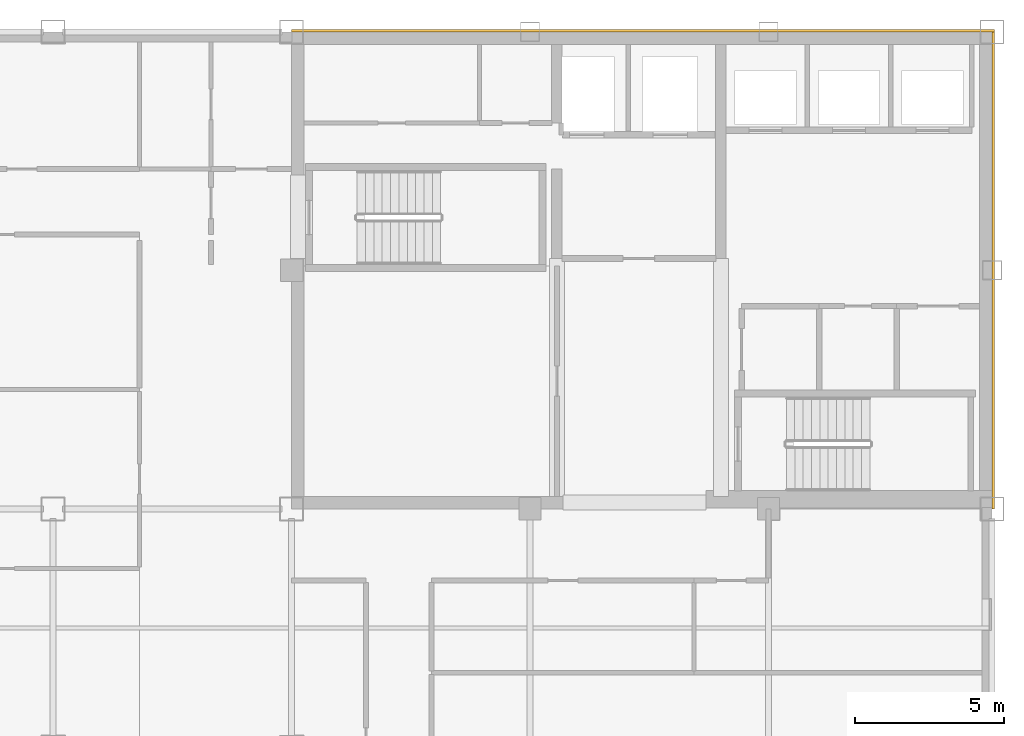
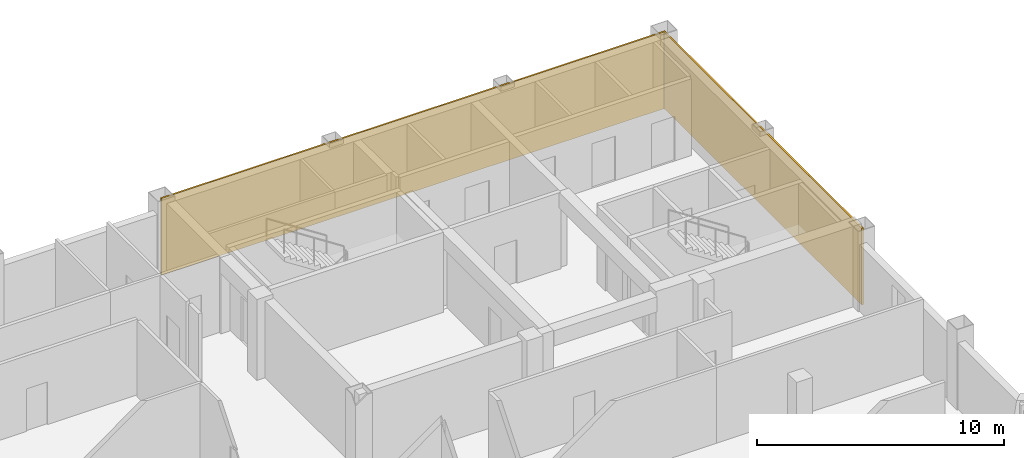
# One storey, part 7 of 7: 2 coverings.
"""IFC4 building model written with IfcOpenShell, lengths in metres."""

from ifc_helpers import new_model, si_unit, direction, frame, origin, origin_2d, place, context, subcontext, project, spatial, rectangle, extrude, material, layer, layer_set, type_object, element, save


model = new_model("IFC4")

# Units and contexts
model_context = context("Model", 3, precision=1e-05, world=origin(), true_north=direction((0.0, 1.0)))
body_context = subcontext(model_context, "Body", "Model", "MODEL_VIEW")
ifc_project = project(units=[si_unit("LENGTHUNIT", "METRE"), si_unit("AREAUNIT", "SQUARE_METRE"), si_unit("VOLUMEUNIT", "CUBIC_METRE"), si_unit("PLANEANGLEUNIT", "RADIAN"), si_unit("MASSUNIT", "GRAM", prefix="KILO")], contexts=[model_context])

# Site, building, storey
site_placement = place(None, origin())
site = spatial("IfcSite", under=ifc_project, at=site_placement, CompositionType="ELEMENT")
building_placement = place(site_placement, origin())
building = spatial("IfcBuilding", under=site, at=building_placement, Name="Qianrong Seaharbour Tower", CompositionType="ELEMENT")
storey_placement = place(building_placement, frame((0.0, 0.0, 339.199951171875)))
storey = spatial("IfcBuildingStorey", under=building, at=storey_placement, Name="L82", CompositionType="ELEMENT", Elevation=339.199951171875)

# Coverings
ifc_material = material(Name="Unitised red brick cladding on Precast concrete C45/55", Category="masonry")
ifc_layer = layer(ifc_material, 0.080078125)
ifc_layer_set = layer_set([ifc_layer], Name="Unitised red brick cladding on Precast concrete C45/55")
covering_type = type_object("IfcCoveringType", Name="COV-CLAD-RED-BRICK-80", PredefinedType="CLADDING", material=ifc_layer_set)
covering_1_placement = place(storey_placement, frame((52.2900390625, 52.0400390625, 0.0), z_axis=(0.0, 0.0, 1.0), x_axis=(1.0, 0.0, 0.0)))
element("IfcCovering", 1, at=covering_1_placement, inside=storey, type_object=covering_type, Name="L82 North Core Brick Veneer Cladding", PredefinedType="CLADDING", context=body_context, shape_type="SweptSolid", body=[
    extrude(rectangle(XDim=23.580078125, YDim=0.080078125, at=origin_2d()), origin(), (0.0, 0.0, 1.0), 3.784912109375),
])
covering_2_placement = place(storey_placement, frame((64.0400390625, 44.0, 0.0), z_axis=(0.0, 0.0, 1.0), x_axis=(1.0, 0.0, 0.0)))
element("IfcCovering", 2, at=covering_2_placement, inside=storey, type_object=covering_type, Name="L82 East Core Brick Veneer Cladding", PredefinedType="CLADDING", context=body_context, shape_type="SweptSolid", body=[
    extrude(rectangle(XDim=0.080078125, YDim=16.0, at=origin_2d()), origin(), (0.0, 0.0, 1.0), 3.784912109375),
])

save(model, "model.ifc")
